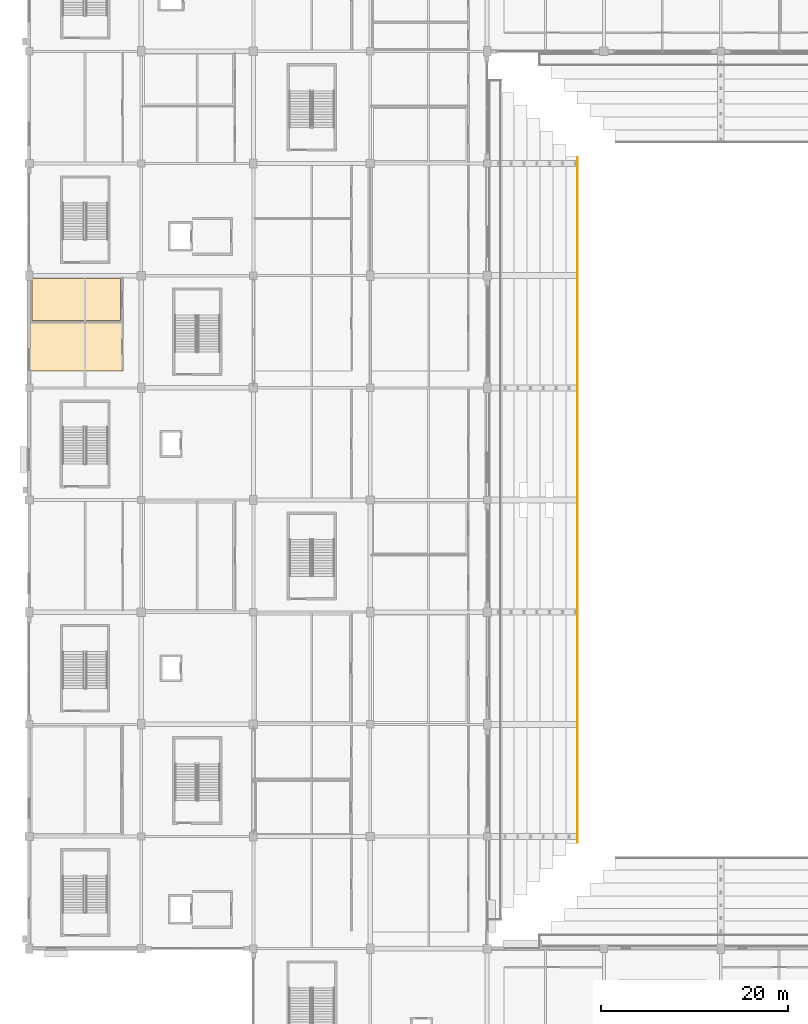
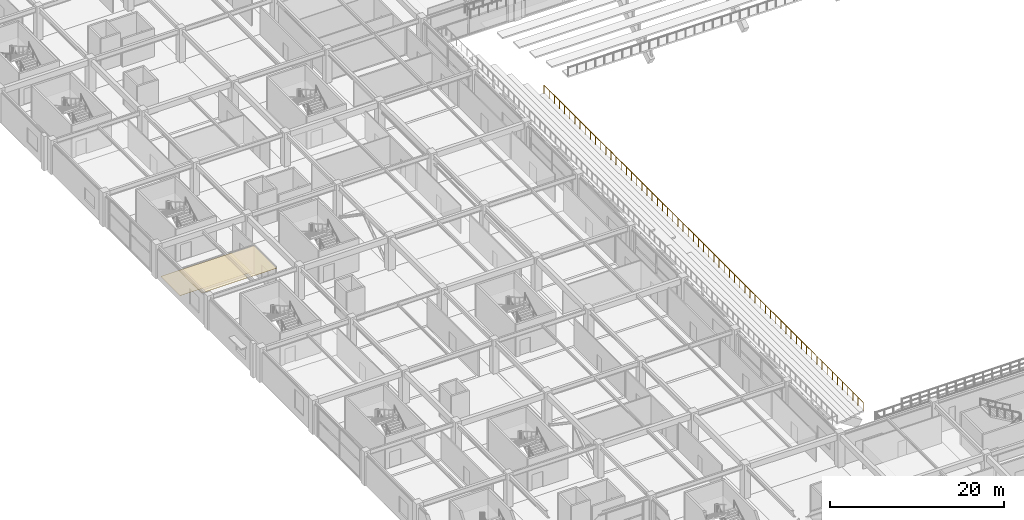
# One storey, part 108 of 134: 2 coverings, 1 railing.
"""IFC4 building model written with IfcOpenShell, lengths in metres."""

from ifc_helpers import new_model, si_unit, direction, frame, origin, origin_2d, place, context, subcontext, project, spatial, polyline, circle, outline, extrude, material, layer, layer_set, type_object, element, save


model = new_model("IFC4")

# Units and contexts
model_context = context("Model", 3, precision=1e-05, world=origin(), true_north=direction((0.0, 1.0)))
body_context = subcontext(model_context, "Body", "Model", "MODEL_VIEW")
ifc_project = project(units=[si_unit("LENGTHUNIT", "METRE"), si_unit("AREAUNIT", "SQUARE_METRE"), si_unit("VOLUMEUNIT", "CUBIC_METRE"), si_unit("PLANEANGLEUNIT", "RADIAN"), si_unit("MASSUNIT", "GRAM", prefix="KILO")], contexts=[model_context])

# Site, building, storey
site_placement = place(None, origin())
site = spatial("IfcSite", under=ifc_project, at=site_placement, CompositionType="ELEMENT")
building_placement = place(site_placement, origin())
building = spatial("IfcBuilding", under=site, at=building_placement, Name="Kazenohara Klinker Stadium", CompositionType="ELEMENT")
storey_placement = place(building_placement, frame((0.0, 0.0, 5.39990234375)))
storey = spatial("IfcBuildingStorey", under=building, at=storey_placement, Name="L01", CompositionType="ELEMENT", Elevation=5.39990234375)

# Coverings
ifc_material_1 = material(Name="Slatted Hokkaido cedar acoustic baffle ceiling", Category="wood")
ifc_layer_1 = layer(ifc_material_1, 0.0400390625)
ifc_layer_set_1 = layer_set([ifc_layer_1], Name="Slatted Hokkaido cedar acoustic baffle ceiling")
covering_type_1 = type_object("IfcCoveringType", Name="COV-CEIL-02", PredefinedType="CEILING", material=ifc_layer_set_1)
covering_1_placement = place(storey_placement, frame((0.0, 0.0, 3.739990234375)))
element("IfcCovering", 1, at=covering_1_placement, inside=storey, type_object=covering_type_1, Name="Suspended acoustic ceiling CL02 Spectator First-Aid Medical Clinic L01-0008A", PredefinedType="CEILING", context=body_context, shape_type="SweptSolid", body=[
    extrude(outline(polyline([(0.06005859375, 97.800048828125), (10.0400390625, 97.800048828125), (10.0400390625, 103.019287109375), (0.06005859375, 103.019287109375), (0.06005859375, 97.800048828125)])), origin(), (0.0, 0.0, 1.0), 0.0400390625),
])
ifc_material_2 = material(Name="Slip-resistant honed basalt terrazzo flooring", Category="masonry")
ifc_layer_2 = layer(ifc_material_2, 0.02001953125)
ifc_layer_set_2 = layer_set([ifc_layer_2], Name="Slip-resistant honed basalt terrazzo flooring")
covering_type_2 = type_object("IfcCoveringType", Name="COV-FLR-01", PredefinedType="FLOORING", material=ifc_layer_set_2)
covering_2_placement = place(storey_placement, origin())
element("IfcCovering", 2, at=covering_2_placement, inside=storey, type_object=covering_type_2, Name="Interior floor finish FL01 Supporter Scarf and Jersey Retail Shop L01-0008B", PredefinedType="FLOORING", context=body_context, shape_type="SweptSolid", body=[
    extrude(outline(polyline([(0.330078125, 103.209228515625), (9.77001953125, 103.209228515625), (9.77001953125, 107.68994140625), (0.330078125, 107.68994140625), (0.330078125, 103.209228515625)])), origin(), (0.0, 0.0, 1.0), 0.02001953125),
])

# Railing
ifc_material_3 = material(Name="Galvanised powder-coated steel guardrail", Category="steel")
ifc_layer_3 = layer(ifc_material_3, 0.070068359375)
ifc_layer_set_3 = layer_set([ifc_layer_3], Name="Galvanised powder-coated steel guardrail")
railing_type = type_object("IfcRailingType", Name="RL-GRD-1150", PredefinedType="GUARDRAIL", material=ifc_layer_set_3)
railing_placement = place(storey_placement, frame((58.679931640625, 47.340087890625, -2.599853515625)))
element("IfcRailing", 3, at=railing_placement, inside=storey, type_object=railing_type, Name="Spectator stand sightline guardrail TIER-LOWER-W-07", PredefinedType="GUARDRAIL", context=body_context, shape_type="SweptSolid", body=[
    extrude(circle(Radius=0.02392578125, at=origin_2d()), frame((0.0, 0.0, 1.1259765625), z_axis=(0.0, 1.0, 0.0), x_axis=(-1.0, 0.0, 0.0)), (0.0, 0.0, 1.0), 73.31982421875),
    extrude(circle(Radius=0.02099609375, at=origin_2d()), origin(), (0.0, 0.0, 1.0), 1.101806640625),
    extrude(circle(Radius=0.02099609375, at=origin_2d()), frame((0.0, 1.1826171875, 0.0)), (0.0, 0.0, 1.0), 1.101806640625),
    extrude(circle(Radius=0.02099609375, at=origin_2d()), frame((0.0, 2.365234375, 0.0)), (0.0, 0.0, 1.0), 1.101806640625),
    extrude(circle(Radius=0.02099609375, at=origin_2d()), frame((0.0, 3.5478515625, 0.0)), (0.0, 0.0, 1.0), 1.101806640625),
    extrude(circle(Radius=0.02099609375, at=origin_2d()), frame((0.0, 4.730224609375, 0.0)), (0.0, 0.0, 1.0), 1.101806640625),
    extrude(circle(Radius=0.02099609375, at=origin_2d()), frame((0.0, 5.912841796875, 0.0)), (0.0, 0.0, 1.0), 1.101806640625),
    extrude(circle(Radius=0.02099609375, at=origin_2d()), frame((0.0, 7.095458984375, 0.0)), (0.0, 0.0, 1.0), 1.101806640625),
    extrude(circle(Radius=0.02099609375, at=origin_2d()), frame((0.0, 8.278076171875, 0.0)), (0.0, 0.0, 1.0), 1.101806640625),
    extrude(circle(Radius=0.02099609375, at=origin_2d()), frame((0.0, 9.460693359375, 0.0)), (0.0, 0.0, 1.0), 1.101806640625),
    extrude(circle(Radius=0.02099609375, at=origin_2d()), frame((0.0, 10.643310546875, 0.0)), (0.0, 0.0, 1.0), 1.101806640625),
    extrude(circle(Radius=0.02099609375, at=origin_2d()), frame((0.0, 11.82568359375, 0.0)), (0.0, 0.0, 1.0), 1.101806640625),
    extrude(circle(Radius=0.02099609375, at=origin_2d()), frame((0.0, 13.00830078125, 0.0)), (0.0, 0.0, 1.0), 1.101806640625),
    extrude(circle(Radius=0.02099609375, at=origin_2d()), frame((0.0, 14.19091796875, 0.0)), (0.0, 0.0, 1.0), 1.101806640625),
    extrude(circle(Radius=0.02099609375, at=origin_2d()), frame((0.0, 15.37353515625, 0.0)), (0.0, 0.0, 1.0), 1.101806640625),
    extrude(circle(Radius=0.02099609375, at=origin_2d()), frame((0.0, 16.55615234375, 0.0)), (0.0, 0.0, 1.0), 1.101806640625),
    extrude(circle(Radius=0.02099609375, at=origin_2d()), frame((0.0, 17.73876953125, 0.0)), (0.0, 0.0, 1.0), 1.101806640625),
    extrude(circle(Radius=0.02099609375, at=origin_2d()), frame((0.0, 18.921142578125, 0.0)), (0.0, 0.0, 1.0), 1.101806640625),
    extrude(circle(Radius=0.02099609375, at=origin_2d()), frame((0.0, 20.103759765625, 0.0)), (0.0, 0.0, 1.0), 1.101806640625),
    extrude(circle(Radius=0.02099609375, at=origin_2d()), frame((0.0, 21.286376953125, 0.0)), (0.0, 0.0, 1.0), 1.101806640625),
    extrude(circle(Radius=0.02099609375, at=origin_2d()), frame((0.0, 22.468994140625, 0.0)), (0.0, 0.0, 1.0), 1.101806640625),
    extrude(circle(Radius=0.02099609375, at=origin_2d()), frame((0.0, 23.651611328125, 0.0)), (0.0, 0.0, 1.0), 1.101806640625),
    extrude(circle(Radius=0.02099609375, at=origin_2d()), frame((0.0, 24.834228515625, 0.0)), (0.0, 0.0, 1.0), 1.101806640625),
    extrude(circle(Radius=0.02099609375, at=origin_2d()), frame((0.0, 26.0166015625, 0.0)), (0.0, 0.0, 1.0), 1.101806640625),
    extrude(circle(Radius=0.02099609375, at=origin_2d()), frame((0.0, 27.19921875, 0.0)), (0.0, 0.0, 1.0), 1.101806640625),
    extrude(circle(Radius=0.02099609375, at=origin_2d()), frame((0.0, 28.3818359375, 0.0)), (0.0, 0.0, 1.0), 1.101806640625),
    extrude(circle(Radius=0.02099609375, at=origin_2d()), frame((0.0, 29.564453125, 0.0)), (0.0, 0.0, 1.0), 1.101806640625),
    extrude(circle(Radius=0.02099609375, at=origin_2d()), frame((0.0, 30.7470703125, 0.0)), (0.0, 0.0, 1.0), 1.101806640625),
    extrude(circle(Radius=0.02099609375, at=origin_2d()), frame((0.0, 31.9296875, 0.0)), (0.0, 0.0, 1.0), 1.101806640625),
    extrude(circle(Radius=0.02099609375, at=origin_2d()), frame((0.0, 33.112060546875, 0.0)), (0.0, 0.0, 1.0), 1.101806640625),
    extrude(circle(Radius=0.02099609375, at=origin_2d()), frame((0.0, 34.294677734375, 0.0)), (0.0, 0.0, 1.0), 1.101806640625),
    extrude(circle(Radius=0.02099609375, at=origin_2d()), frame((0.0, 35.477294921875, 0.0)), (0.0, 0.0, 1.0), 1.101806640625),
    extrude(circle(Radius=0.02099609375, at=origin_2d()), frame((0.0, 36.659912109375, 0.0)), (0.0, 0.0, 1.0), 1.101806640625),
    extrude(circle(Radius=0.02099609375, at=origin_2d()), frame((0.0, 37.842529296875, 0.0)), (0.0, 0.0, 1.0), 1.101806640625),
    extrude(circle(Radius=0.02099609375, at=origin_2d()), frame((0.0, 39.025146484375, 0.0)), (0.0, 0.0, 1.0), 1.101806640625),
    extrude(circle(Radius=0.02099609375, at=origin_2d()), frame((0.0, 40.207763671875, 0.0)), (0.0, 0.0, 1.0), 1.101806640625),
    extrude(circle(Radius=0.02099609375, at=origin_2d()), frame((0.0, 41.39013671875, 0.0)), (0.0, 0.0, 1.0), 1.101806640625),
    extrude(circle(Radius=0.02099609375, at=origin_2d()), frame((0.0, 42.57275390625, 0.0)), (0.0, 0.0, 1.0), 1.101806640625),
    extrude(circle(Radius=0.02099609375, at=origin_2d()), frame((0.0, 43.75537109375, 0.0)), (0.0, 0.0, 1.0), 1.101806640625),
    extrude(circle(Radius=0.02099609375, at=origin_2d()), frame((0.0, 44.93798828125, 0.0)), (0.0, 0.0, 1.0), 1.101806640625),
    extrude(circle(Radius=0.02099609375, at=origin_2d()), frame((0.0, 46.12060546875, 0.0)), (0.0, 0.0, 1.0), 1.101806640625),
    extrude(circle(Radius=0.02099609375, at=origin_2d()), frame((0.0, 47.30322265625, 0.0)), (0.0, 0.0, 1.0), 1.101806640625),
    extrude(circle(Radius=0.02099609375, at=origin_2d()), frame((0.0, 48.485595703125, 0.0)), (0.0, 0.0, 1.0), 1.101806640625),
    extrude(circle(Radius=0.02099609375, at=origin_2d()), frame((0.0, 49.668212890625, 0.0)), (0.0, 0.0, 1.0), 1.101806640625),
    extrude(circle(Radius=0.02099609375, at=origin_2d()), frame((0.0, 50.850830078125, 0.0)), (0.0, 0.0, 1.0), 1.101806640625),
    extrude(circle(Radius=0.02099609375, at=origin_2d()), frame((0.0, 52.033447265625, 0.0)), (0.0, 0.0, 1.0), 1.101806640625),
    extrude(circle(Radius=0.02099609375, at=origin_2d()), frame((0.0, 53.216064453125, 0.0)), (0.0, 0.0, 1.0), 1.101806640625),
    extrude(circle(Radius=0.02099609375, at=origin_2d()), frame((0.0, 54.398681640625, 0.0)), (0.0, 0.0, 1.0), 1.101806640625),
    extrude(circle(Radius=0.02099609375, at=origin_2d()), frame((0.0, 55.5810546875, 0.0)), (0.0, 0.0, 1.0), 1.101806640625),
    extrude(circle(Radius=0.02099609375, at=origin_2d()), frame((0.0, 56.763671875, 0.0)), (0.0, 0.0, 1.0), 1.101806640625),
    extrude(circle(Radius=0.02099609375, at=origin_2d()), frame((0.0, 57.9462890625, 0.0)), (0.0, 0.0, 1.0), 1.101806640625),
    extrude(circle(Radius=0.02099609375, at=origin_2d()), frame((0.0, 59.12890625, 0.0)), (0.0, 0.0, 1.0), 1.101806640625),
    extrude(circle(Radius=0.02099609375, at=origin_2d()), frame((0.0, 60.3115234375, 0.0)), (0.0, 0.0, 1.0), 1.101806640625),
    extrude(circle(Radius=0.02099609375, at=origin_2d()), frame((0.0, 61.494140625, 0.0)), (0.0, 0.0, 1.0), 1.101806640625),
    extrude(circle(Radius=0.02099609375, at=origin_2d()), frame((0.0, 62.676513671875, 0.0)), (0.0, 0.0, 1.0), 1.101806640625),
    extrude(circle(Radius=0.02099609375, at=origin_2d()), frame((0.0, 63.859130859375, 0.0)), (0.0, 0.0, 1.0), 1.101806640625),
    extrude(circle(Radius=0.02099609375, at=origin_2d()), frame((0.0, 65.041748046875, 0.0)), (0.0, 0.0, 1.0), 1.101806640625),
    extrude(circle(Radius=0.02099609375, at=origin_2d()), frame((0.0, 66.224365234375, 0.0)), (0.0, 0.0, 1.0), 1.101806640625),
    extrude(circle(Radius=0.02099609375, at=origin_2d()), frame((0.0, 67.406982421875, 0.0)), (0.0, 0.0, 1.0), 1.101806640625),
    extrude(circle(Radius=0.02099609375, at=origin_2d()), frame((0.0, 68.589599609375, 0.0)), (0.0, 0.0, 1.0), 1.101806640625),
    extrude(circle(Radius=0.02099609375, at=origin_2d()), frame((0.0, 69.77197265625, 0.0)), (0.0, 0.0, 1.0), 1.101806640625),
    extrude(circle(Radius=0.02099609375, at=origin_2d()), frame((0.0, 70.95458984375, 0.0)), (0.0, 0.0, 1.0), 1.101806640625),
    extrude(circle(Radius=0.02099609375, at=origin_2d()), frame((0.0, 72.13720703125, 0.0)), (0.0, 0.0, 1.0), 1.101806640625),
    extrude(circle(Radius=0.02099609375, at=origin_2d()), frame((0.0, 73.31982421875, 0.0)), (0.0, 0.0, 1.0), 1.101806640625),
])

save(model, "model.ifc")
